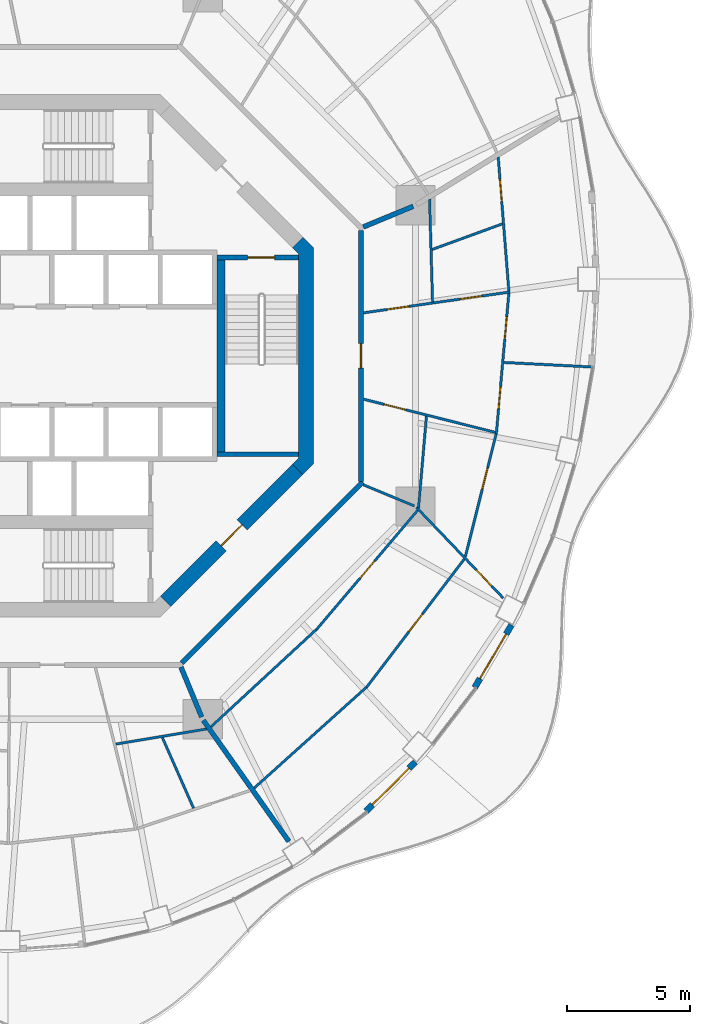
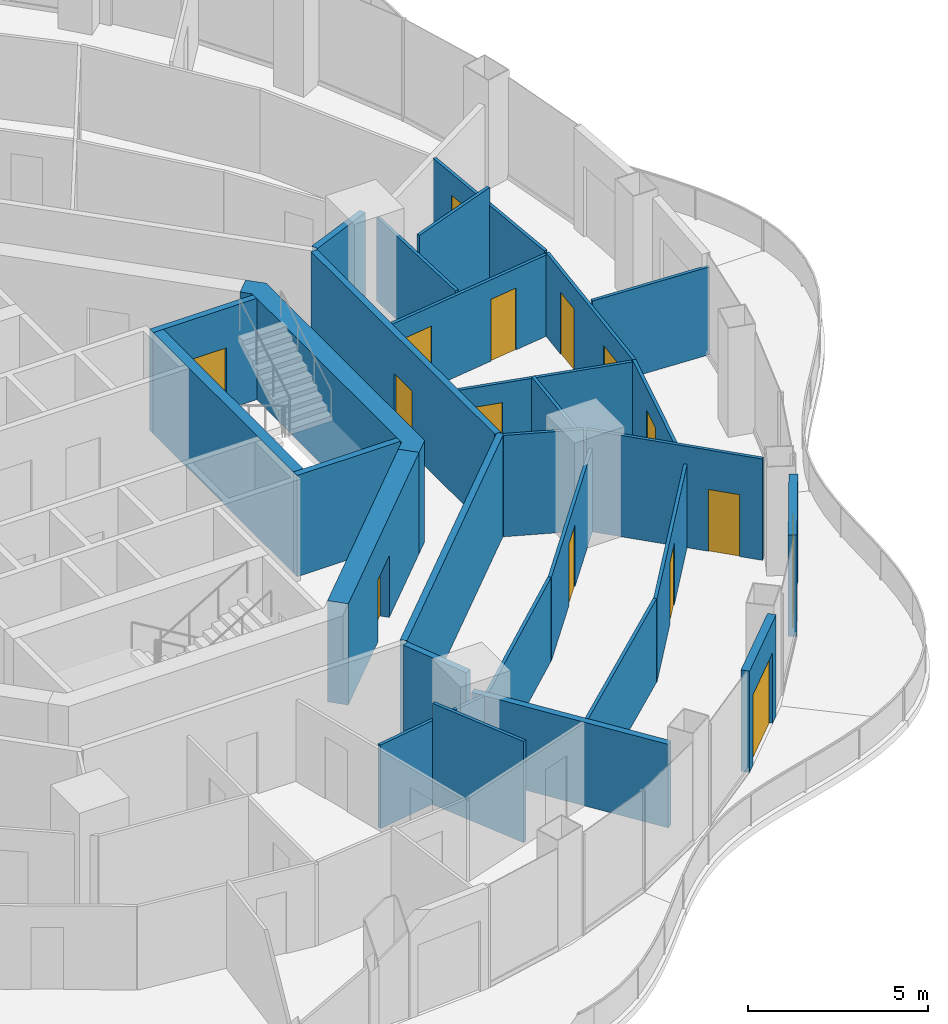
# One storey, part 12 of 18: 29 walls, 15 doors, 15 openings.
"""IFC4 building model written with IfcOpenShell, lengths in metres."""

from ifc_helpers import new_model, si_unit, direction, frame, frame_2d, origin, place, context, subcontext, project, spatial, polyline, rectangle, outline, extrude, material, layer, layer_set, type_object, element, fill, save


model = new_model("IFC4")

# Units and contexts
model_context = context("Model", 3, precision=1e-05, world=origin(), true_north=direction((0.0, 1.0)))
body_context = subcontext(model_context, "Body", "Model", "MODEL_VIEW")
ifc_project = project(units=[si_unit("LENGTHUNIT", "METRE"), si_unit("AREAUNIT", "SQUARE_METRE"), si_unit("VOLUMEUNIT", "CUBIC_METRE"), si_unit("PLANEANGLEUNIT", "RADIAN"), si_unit("MASSUNIT", "GRAM", prefix="KILO")], contexts=[model_context])

# Site, building, storey
site_placement = place(None, origin())
site = spatial("IfcSite", under=ifc_project, at=site_placement, CompositionType="ELEMENT")
building_placement = place(site_placement, origin())
building = spatial("IfcBuilding", under=site, at=building_placement, Name="Nagisa Residences", CompositionType="ELEMENT")
storey_placement = place(building_placement, frame((0.0, 0.0, 219.60009765625)))
storey = spatial("IfcBuildingStorey", under=building, at=storey_placement, Name="L55", CompositionType="ELEMENT", Elevation=219.60009765625)

# Walls
ifc_material_1 = material(Name="Gypsum board on steel studs", Category="steel")
ifc_layer_1 = layer(ifc_material_1, 0.199951171875)
ifc_layer_set_1 = layer_set([ifc_layer_1], Name="Apartment compartment wall EI60 200")
wall_type_1 = type_object("IfcWallType", Name="Apartment compartment wall EI60 200", PredefinedType="PARTITIONING", material=ifc_layer_set_1)
wall_1_placement = place(storey_placement, frame((12.6572265625, 5.24267578125, 0.0), z_axis=(0.0, 0.0, 1.0), x_axis=(0.92383017907, 0.382802560388, 0.0)))
element("IfcWall", 1, at=wall_1_placement, inside=storey, type_object=wall_type_1, Name="wall:L55:u00", PredefinedType="PARTITIONING", context=body_context, shape_type="SweptSolid", body=[
    extrude(rectangle(XDim=2.2001953125, YDim=0.199951171875, at=frame_2d((1.10009765625, 0.0))), origin(), (0.0, 0.0, 1.0), 3.43994140625),
])
wall_2_placement = place(storey_placement, frame((5.24267578125, -12.6572265625, 0.0), z_axis=(0.0, 0.0, 1.0), x_axis=(0.382691608661, -0.923876145736, 0.0)))
element("IfcWall", 2, at=wall_2_placement, inside=storey, type_object=wall_type_1, Name="wall:L55:u06", PredefinedType="PARTITIONING", context=body_context, shape_type="SweptSolid", body=[
    extrude(rectangle(XDim=2.19970703125, YDim=0.199951171875, at=frame_2d((1.099853515625, 0.0))), origin(), (0.0, 0.0, 1.0), 3.43994140625),
])
wall_3_placement = place(storey_placement, frame((6.15185546875, -14.822998046875, 0.0), z_axis=(0.0, 0.0, 1.0), x_axis=(0.576994695158, -0.816747893637, 0.0)))
element("IfcWall", 3, at=wall_3_placement, inside=storey, type_object=wall_type_1, Name="wall:L55:u07", PredefinedType="PARTITIONING", context=body_context, shape_type="SweptSolid", body=[
    extrude(rectangle(XDim=6.0302734375, YDim=0.199951171875, at=frame_2d((3.01513671875, 0.0))), origin(), (0.0, 0.0, 1.0), 2.8369140625),
])

# Wall, opening, door
ifc_material_2 = material(Name="Gypsum board on steel studs", Category="steel")
ifc_layer_2 = layer(ifc_material_2, 0.199951171875)
ifc_layer_set_2 = layer_set([ifc_layer_2], Name="Apartment entry wall EI60 200")
wall_type_2 = type_object("IfcWallType", Name="Apartment entry wall EI60 200", PredefinedType="PARTITIONING", material=ifc_layer_set_2)
wall_4_placement = place(storey_placement, frame((12.564697265625, -5.1044921875, 0.0), z_axis=(0.0, 0.0, 1.0), x_axis=(0.0, 1.0, 0.0)))
wall_4 = element("IfcWall", 4, at=wall_4_placement, inside=storey, type_object=wall_type_2, Name="wall:L55:u08", PredefinedType="PARTITIONING", context=body_context, shape_type="SweptSolid", body=[
    extrude(rectangle(XDim=10.208984375, YDim=0.199951171875, at=frame_2d((5.1044921875, 0.0))), origin(), (0.0, 0.0, 1.0), 3.43994140625),
])
opening_1_placement = place(wall_4_placement, frame((4.6044921875, 0.0, 0.0)))
opening_1 = element("IfcOpeningElement", 5, at=opening_1_placement, cuts=wall_4, Name="Opening L55-U41", PredefinedType="OPENING", context=body_context, shape_type="SweptSolid", body=[
    extrude(rectangle(XDim=1.0, YDim=2.10009765625, at=frame_2d((0.5, 1.050048828125))), frame((0.0, 0.10986328125, 0.0), z_axis=(0.0, -1.0, 0.0), x_axis=(1.0, 0.0, 0.0)), (0.0, 0.0, 1.0), 0.219970703125),
])
ifc_material_3 = material(Name="Timber fire door set", Category="wood")
door_type_1 = type_object("IfcDoorType", Name="Apartment entry door FD30S 1000x2100", OperationType="NOTDEFINED", PredefinedType="DOOR", material=ifc_material_3)
door_1_placement = place(opening_1_placement, frame((1.0, 0.0, 0.0), x_axis=(-1.0, 0.0, 0.0)))
door_1 = element("IfcDoor", 6, at=door_1_placement, inside=storey, type_object=door_type_1, Name="Entry door, Apartment 55D", OperationType="SINGLE_SWING_RIGHT", OverallHeight=2.10009765625, OverallWidth=1.0, PredefinedType="DOOR", context=body_context, shape_type="SweptSolid", body=[
    extrude(rectangle(XDim=1.0, YDim=2.10009765625, at=frame_2d((0.5, 1.050048828125))), frame((0.0, 0.02490234375, 0.0), z_axis=(0.0, -1.0, 0.0), x_axis=(1.0, 0.0, 0.0)), (0.0, 0.0, 1.0), 0.050048828125),
])
fill(opening_1, door_1)

# Wall
wall_5_placement = place(storey_placement, frame((5.275146484375, -12.494140625, 0.0), z_axis=(0.0, 0.0, 1.0), x_axis=(0.707106781187, 0.707106781187, 0.0)))
element("IfcWall", 7, at=wall_5_placement, inside=storey, type_object=wall_type_2, Name="wall:L55:u15", PredefinedType="PARTITIONING", context=body_context, shape_type="SweptSolid", body=[
    extrude(rectangle(XDim=10.4091796875, YDim=0.199951171875, at=frame_2d((5.20458984375, 0.0))), origin(), (0.0, 0.0, 1.0), 3.43994140625),
])

# Wall, openings, doors
ifc_material_4 = material(Name="Gypsum board on steel studs", Category="steel")
ifc_layer_3 = layer(ifc_material_4, 0.10009765625)
ifc_layer_set_3 = layer_set([ifc_layer_3], Name="Apartment partition 100")
wall_type_3 = type_object("IfcWallType", Name="Apartment partition 100", PredefinedType="PARTITIONING", material=ifc_layer_set_3)
wall_6_placement = place(storey_placement, frame((12.663818359375, 1.7490234375, 0.0), z_axis=(0.0, 0.0, 1.0), x_axis=(0.990000460163, 0.141064130369, 0.0)))
wall_6 = element("IfcWall", 8, at=wall_6_placement, inside=storey, type_object=wall_type_3, Name="wall:L55:u16", PredefinedType="PARTITIONING", context=body_context, shape_type="SweptSolid", body=[
    extrude(rectangle(XDim=6.028076171875, YDim=0.10009765625, at=frame_2d((3.01416015625, 0.0))), origin(), (0.0, 0.0, 1.0), 2.761962890625),
])
opening_2_placement = place(wall_6_placement, frame((0.970458984375, 0.0, 0.0)))
opening_2 = element("IfcOpeningElement", 9, at=opening_2_placement, cuts=wall_6, Name="Opening L55-U43", PredefinedType="OPENING", context=body_context, shape_type="SweptSolid", body=[
    extrude(rectangle(XDim=0.89990234375, YDim=2.10009765625, at=frame_2d((0.449951171875, 1.050048828125))), frame((0.0, 0.06005859375, 0.0), z_axis=(0.0, -1.0, 0.0), x_axis=(1.0, 0.0, 0.0)), (0.0, 0.0, 1.0), 0.1201171875),
])
opening_3_placement = place(wall_6_placement, frame((3.95947265625, 0.0, 0.0)))
opening_3 = element("IfcOpeningElement", 10, at=opening_3_placement, cuts=wall_6, Name="Opening L55-U44", PredefinedType="OPENING", context=body_context, shape_type="SweptSolid", body=[
    extrude(rectangle(XDim=0.89990234375, YDim=2.10009765625, at=frame_2d((0.449951171875, 1.050048828125))), frame((0.0, 0.06005859375, 0.0), z_axis=(0.0, -1.0, 0.0), x_axis=(1.0, 0.0, 0.0)), (0.0, 0.0, 1.0), 0.1201171875),
])
ifc_material_5 = material(Name="Timber door set", Category="wood")
door_type_2 = type_object("IfcDoorType", Name="Apartment door 900x2100", OperationType="NOTDEFINED", PredefinedType="DOOR", material=ifc_material_5)
door_2_placement = place(opening_2_placement, origin())
door_2 = element("IfcDoor", 11, at=door_2_placement, inside=storey, type_object=door_type_2, Name="Door to store, Apartment 55D", OperationType="SINGLE_SWING_LEFT", OverallHeight=2.10009765625, OverallWidth=0.89990234375, PredefinedType="DOOR", context=body_context, shape_type="SweptSolid", body=[
    extrude(rectangle(XDim=0.89990234375, YDim=2.10009765625, at=frame_2d((0.449951171875, 1.050048828125))), frame((0.0, 0.02490234375, 0.0), z_axis=(0.0, -1.0, 0.0), x_axis=(1.0, 0.0, 0.0)), (0.0, 0.0, 1.0), 0.050048828125),
])
fill(opening_2, door_2)
door_3_placement = place(opening_3_placement, origin())
door_3 = element("IfcDoor", 12, at=door_3_placement, inside=storey, type_object=door_type_2, Name="Door to family bathroom, Apartment 55D", OperationType="SINGLE_SWING_RIGHT", OverallHeight=2.10009765625, OverallWidth=0.89990234375, PredefinedType="DOOR", context=body_context, shape_type="SweptSolid", body=[
    extrude(rectangle(XDim=0.89990234375, YDim=2.10009765625, at=frame_2d((0.449951171875, 1.050048828125))), frame((0.0, 0.02490234375, 0.0), z_axis=(0.0, -1.0, 0.0), x_axis=(1.0, 0.0, 0.0)), (0.0, 0.0, 1.0), 0.050048828125),
])
fill(opening_3, door_3)

# Wall
wall_7_placement = place(storey_placement, frame((15.474853515625, 2.19970703125, 0.0), z_axis=(0.0, 0.0, 1.0), x_axis=(-0.029254623973, 0.999571991893, 0.0)))
element("IfcWall", 13, at=wall_7_placement, inside=storey, type_object=wall_type_3, Name="wall:L55:u17", PredefinedType="PARTITIONING", context=body_context, shape_type="SweptSolid", body=[
    extrude(rectangle(XDim=4.172607421875, YDim=0.10009765625, at=frame_2d((2.08642578125, 0.0))), origin(), (0.0, 0.0, 1.0), 2.8369140625),
])

# Wall, opening, door
wall_8_placement = place(storey_placement, frame((18.578125, 2.64208984375, 0.0), z_axis=(0.0, 0.0, 1.0), x_axis=(-0.079188322924, 0.996859673932, 0.0)))
wall_8 = element("IfcWall", 14, at=wall_8_placement, inside=storey, type_object=wall_type_3, Name="wall:L55:u18", PredefinedType="PARTITIONING", context=body_context, shape_type="SweptSolid", body=[
    extrude(rectangle(XDim=5.453857421875, YDim=0.10009765625, at=frame_2d((2.72705078125, 0.0))), origin(), (0.0, 0.0, 1.0), 2.8369140625),
])
opening_4_placement = place(wall_8_placement, frame((3.653076171875, 0.0, 0.0)))
opening_4 = element("IfcOpeningElement", 15, at=opening_4_placement, cuts=wall_8, Name="Opening L55-U48", PredefinedType="OPENING", context=body_context, shape_type="SweptSolid", body=[
    extrude(rectangle(XDim=0.89990234375, YDim=2.10009765625, at=frame_2d((0.449951171875, 1.050048828125))), frame((0.0, 0.06005859375, 0.0), z_axis=(0.0, -1.0, 0.0), x_axis=(1.0, 0.0, 0.0)), (0.0, 0.0, 1.0), 0.1201171875),
])
door_4_placement = place(opening_4_placement, origin())
door_4 = element("IfcDoor", 16, at=door_4_placement, inside=storey, type_object=door_type_2, Name="Door to en-suite bathroom, Apartment 55D", OperationType="SINGLE_SWING_RIGHT", OverallHeight=2.10009765625, OverallWidth=0.89990234375, PredefinedType="DOOR", context=body_context, shape_type="SweptSolid", body=[
    extrude(rectangle(XDim=0.89990234375, YDim=2.10009765625, at=frame_2d((0.449951171875, 1.050048828125))), frame((0.0, 0.02490234375, 0.0), z_axis=(0.0, -1.0, 0.0), x_axis=(1.0, 0.0, 0.0)), (0.0, 0.0, 1.0), 0.050048828125),
])
fill(opening_4, door_4)

# Wall, openings, doors
wall_9_placement = place(storey_placement, frame((18.57763671875, 2.54248046875, 0.0), z_axis=(0.0, 0.0, 1.0), x_axis=(-0.088651453697, -0.996062708748, 0.0)))
wall_9 = element("IfcWall", 17, at=wall_9_placement, inside=storey, type_object=wall_type_3, Name="wall:L55:u19", PredefinedType="PARTITIONING", context=body_context, shape_type="SweptSolid", body=[
    extrude(rectangle(XDim=5.736572265625, YDim=0.10009765625, at=frame_2d((2.8681640625, 0.0))), origin(), (0.0, 0.0, 1.0), 2.8369140625),
])
opening_5_placement = place(wall_9_placement, frame((3.80224609375, 0.0, 0.0)))
opening_5 = element("IfcOpeningElement", 18, at=opening_5_placement, cuts=wall_9, Name="Opening L55-U45", PredefinedType="OPENING", context=body_context, shape_type="SweptSolid", body=[
    extrude(rectangle(XDim=0.89990234375, YDim=2.10009765625, at=frame_2d((0.449951171875, 1.050048828125))), frame((0.0, 0.06005859375, 0.0), z_axis=(0.0, -1.0, 0.0), x_axis=(1.0, 0.0, 0.0)), (0.0, 0.0, 1.0), 0.1201171875),
])
opening_6_placement = place(wall_9_placement, frame((0.958984375, 0.0, 0.0)))
opening_6 = element("IfcOpeningElement", 19, at=opening_6_placement, cuts=wall_9, Name="Opening L55-U46", PredefinedType="OPENING", context=body_context, shape_type="SweptSolid", body=[
    extrude(rectangle(XDim=0.89990234375, YDim=2.10009765625, at=frame_2d((0.449951171875, 1.050048828125))), frame((0.0, 0.06005859375, 0.0), z_axis=(0.0, -1.0, 0.0), x_axis=(1.0, 0.0, 0.0)), (0.0, 0.0, 1.0), 0.1201171875),
])
door_5_placement = place(opening_5_placement, origin())
door_5 = element("IfcDoor", 20, at=door_5_placement, inside=storey, type_object=door_type_2, Name="Door to bedroom, Apartment 55D", OperationType="SINGLE_SWING_LEFT", OverallHeight=2.10009765625, OverallWidth=0.89990234375, PredefinedType="DOOR", context=body_context, shape_type="SweptSolid", body=[
    extrude(rectangle(XDim=0.89990234375, YDim=2.10009765625, at=frame_2d((0.449951171875, 1.050048828125))), frame((0.0, 0.02490234375, 0.0), z_axis=(0.0, -1.0, 0.0), x_axis=(1.0, 0.0, 0.0)), (0.0, 0.0, 1.0), 0.050048828125),
])
fill(opening_5, door_5)
door_6_placement = place(opening_6_placement, origin())
door_6 = element("IfcDoor", 21, at=door_6_placement, inside=storey, type_object=door_type_2, Name="Door to master bedroom, Apartment 55D", OperationType="SINGLE_SWING_RIGHT", OverallHeight=2.10009765625, OverallWidth=0.89990234375, PredefinedType="DOOR", context=body_context, shape_type="SweptSolid", body=[
    extrude(rectangle(XDim=0.89990234375, YDim=2.10009765625, at=frame_2d((0.449951171875, 1.050048828125))), frame((0.0, 0.02490234375, 0.0), z_axis=(0.0, -1.0, 0.0), x_axis=(1.0, 0.0, 0.0)), (0.0, 0.0, 1.0), 0.050048828125),
])
fill(opening_6, door_6)

# Walls
wall_10_placement = place(storey_placement, frame((15.4599609375, 4.327392578125, 0.0), z_axis=(0.0, 0.0, 1.0), x_axis=(0.939452643938, 0.342678755977, 0.0)))
element("IfcWall", 22, at=wall_10_placement, inside=storey, type_object=wall_type_3, Name="wall:L55:u20", PredefinedType="PARTITIONING", context=body_context, shape_type="SweptSolid", body=[
    extrude(rectangle(XDim=3.037109375, YDim=0.10009765625, at=frame_2d((1.5185546875, 0.0))), origin(), (0.0, 0.0, 1.0), 3.43994140625),
])
wall_11_placement = place(storey_placement, frame((2.592529296875, -15.788818359375, 0.0), z_axis=(0.0, 0.0, 1.0), x_axis=(0.986385117656, 0.164451815639, 0.0)))
element("IfcWall", 23, at=wall_11_placement, inside=storey, type_object=wall_type_3, Name="wall:L55:u79", PredefinedType="PARTITIONING", context=body_context, shape_type="SweptSolid", body=[
    extrude(rectangle(XDim=3.7470703125, YDim=0.10009765625, at=frame_2d((1.87353515625, 0.0))), origin(), (0.0, 0.0, 1.0), 2.8369140625),
])
wall_12_placement = place(storey_placement, frame((4.4853515625, -15.522216796875, 0.0), z_axis=(0.0, 0.0, 1.0), x_axis=(0.40391918208, -0.914794673327, 0.0)))
element("IfcWall", 24, at=wall_12_placement, inside=storey, type_object=wall_type_3, Name="wall:L55:u81", PredefinedType="PARTITIONING", context=body_context, shape_type="SweptSolid", body=[
    extrude(rectangle(XDim=3.1455078125, YDim=0.10009765625, at=frame_2d((1.57275390625, 0.0))), origin(), (0.0, 0.0, 1.0), 3.43994140625),
])
wall_13_placement = place(storey_placement, frame((6.460693359375, -15.08837890625, 0.0), z_axis=(0.0, 0.0, 1.0), x_axis=(0.73461579427, 0.678483334217, 0.0)))
element("IfcWall", 25, at=wall_13_placement, inside=storey, type_object=wall_type_3, Name="wall:L55:u82", PredefinedType="PARTITIONING", context=body_context, shape_type="SweptSolid", body=[
    extrude(rectangle(XDim=5.8369140625, YDim=0.10009765625, at=frame_2d((2.91845703125, 0.0))), origin(), (0.0, 0.0, 1.0), 2.8369140625),
])
wall_14_placement = place(storey_placement, frame((8.220458984375, -17.5791015625, 0.0), z_axis=(0.0, 0.0, 1.0), x_axis=(0.743696370895, 0.668517544958, 0.0)))
element("IfcWall", 26, at=wall_14_placement, inside=storey, type_object=wall_type_3, Name="wall:L55:u83", PredefinedType="PARTITIONING", context=body_context, shape_type="SweptSolid", body=[
    extrude(rectangle(XDim=6.124755859375, YDim=0.10009765625, at=frame_2d((3.0625, 0.0))), origin(), (0.0, 0.0, 1.0), 2.8369140625),
])

# Wall, opening, door
wall_15_placement = place(storey_placement, frame((10.7529296875, -11.13232421875, 0.0), z_axis=(0.0, 0.0, 1.0), x_axis=(0.647001799757, 0.762488472773, 0.0)))
wall_15 = element("IfcWall", 27, at=wall_15_placement, inside=storey, type_object=wall_type_3, Name="wall:L55:u84", PredefinedType="PARTITIONING", context=body_context, shape_type="SweptSolid", body=[
    extrude(rectangle(XDim=6.35888671875, YDim=0.10009765625, at=frame_2d((3.179443359375, 0.0))), origin(), (0.0, 0.0, 1.0), 2.8369140625),
])
opening_7_placement = place(wall_15_placement, frame((2.75439453125, 0.0, 0.0)))
opening_7 = element("IfcOpeningElement", 28, at=opening_7_placement, cuts=wall_15, Name="Opening L55-U51", PredefinedType="OPENING", context=body_context, shape_type="SweptSolid", body=[
    extrude(rectangle(XDim=0.89990234375, YDim=2.10009765625, at=frame_2d((0.449951171875, 1.050048828125))), frame((0.0, 0.06005859375, 0.0), z_axis=(0.0, -1.0, 0.0), x_axis=(1.0, 0.0, 0.0)), (0.0, 0.0, 1.0), 0.1201171875),
])
door_7_placement = place(opening_7_placement, origin())
door_7 = element("IfcDoor", 29, at=door_7_placement, inside=storey, type_object=door_type_2, Name="Door to store, Apartment 55D", OperationType="SINGLE_SWING_LEFT", OverallHeight=2.10009765625, OverallWidth=0.89990234375, PredefinedType="DOOR", context=body_context, shape_type="SweptSolid", body=[
    extrude(rectangle(XDim=0.89990234375, YDim=2.10009765625, at=frame_2d((0.449951171875, 1.050048828125))), frame((0.0, 0.02490234375, 0.0), z_axis=(0.0, -1.0, 0.0), x_axis=(1.0, 0.0, 0.0)), (0.0, 0.0, 1.0), 0.050048828125),
])
fill(opening_7, door_7)

wall_16_placement = place(storey_placement, frame((12.7822265625, -13.490966796875, 0.0), z_axis=(0.0, 0.0, 1.0), x_axis=(0.606136140755, 0.795360911078, 0.0)))
wall_16 = element("IfcWall", 30, at=wall_16_placement, inside=storey, type_object=wall_type_3, Name="wall:L55:u85", PredefinedType="PARTITIONING", context=body_context, shape_type="SweptSolid", body=[
    extrude(rectangle(XDim=6.56982421875, YDim=0.10009765625, at=frame_2d((3.284912109375, 0.0))), origin(), (0.0, 0.0, 1.0), 2.8369140625),
])
opening_8_placement = place(wall_16_placement, frame((2.85986328125, 0.0, 0.0)))
opening_8 = element("IfcOpeningElement", 31, at=opening_8_placement, cuts=wall_16, Name="Opening L55-U50", PredefinedType="OPENING", context=body_context, shape_type="SweptSolid", body=[
    extrude(rectangle(XDim=0.89990234375, YDim=2.10009765625, at=frame_2d((0.449951171875, 1.050048828125))), frame((0.0, 0.06005859375, 0.0), z_axis=(0.0, -1.0, 0.0), x_axis=(1.0, 0.0, 0.0)), (0.0, 0.0, 1.0), 0.1201171875),
])
door_8_placement = place(opening_8_placement, origin())
door_8 = element("IfcDoor", 32, at=door_8_placement, inside=storey, type_object=door_type_2, Name="Door to kitchen, Apartment 55D", OperationType="SINGLE_SWING_RIGHT", OverallHeight=2.10009765625, OverallWidth=0.89990234375, PredefinedType="DOOR", context=body_context, shape_type="SweptSolid", body=[
    extrude(rectangle(XDim=0.89990234375, YDim=2.10009765625, at=frame_2d((0.449951171875, 1.050048828125))), frame((0.0, 0.02490234375, 0.0), z_axis=(0.0, -1.0, 0.0), x_axis=(1.0, 0.0, 0.0)), (0.0, 0.0, 1.0), 0.050048828125),
])
fill(opening_8, door_8)

# Wall
wall_17_placement = place(storey_placement, frame((12.6572265625, -5.24267578125, 0.0), z_axis=(0.0, 0.0, 1.0), x_axis=(0.923864733477, -0.382719158442, 0.0)))
element("IfcWall", 33, at=wall_17_placement, inside=storey, type_object=wall_type_3, Name="wall:L55:u86", PredefinedType="PARTITIONING", context=body_context, shape_type="SweptSolid", body=[
    extrude(rectangle(XDim=2.25, YDim=0.10009765625, at=frame_2d((1.125, 0.0))), origin(), (0.0, 0.0, 1.0), 3.43994140625),
])

# Wall, opening, door
wall_18_placement = place(storey_placement, frame((14.816650390625, -6.1591796875, 0.0), z_axis=(0.0, 0.0, 1.0), x_axis=(0.691437669875, -0.722436120828, 0.0)))
wall_18 = element("IfcWall", 34, at=wall_18_placement, inside=storey, type_object=wall_type_3, Name="wall:L55:u87", PredefinedType="PARTITIONING", context=body_context, shape_type="SweptSolid", body=[
    extrude(rectangle(XDim=5.103515625, YDim=0.10009765625, at=frame_2d((2.5517578125, 0.0))), origin(), (0.0, 0.0, 1.0), 3.43994140625),
])
opening_9_placement = place(wall_18_placement, frame((3.5322265625, 0.0, 0.0)))
opening_9 = element("IfcOpeningElement", 35, at=opening_9_placement, cuts=wall_18, Name="Opening L55-U49", PredefinedType="OPENING", context=body_context, shape_type="SweptSolid", body=[
    extrude(rectangle(XDim=0.89990234375, YDim=2.10009765625, at=frame_2d((0.449951171875, 1.050048828125))), frame((0.0, 0.06005859375, 0.0), z_axis=(0.0, -1.0, 0.0), x_axis=(1.0, 0.0, 0.0)), (0.0, 0.0, 1.0), 0.1201171875),
])
door_9_placement = place(opening_9_placement, frame((0.89990234375, 0.0, 0.0), x_axis=(-1.0, 0.0, 0.0)))
door_9 = element("IfcDoor", 36, at=door_9_placement, inside=storey, type_object=door_type_2, Name="Door to family room, Apartment 55D", OperationType="SINGLE_SWING_RIGHT", OverallHeight=2.10009765625, OverallWidth=0.89990234375, PredefinedType="DOOR", context=body_context, shape_type="SweptSolid", body=[
    extrude(rectangle(XDim=0.89990234375, YDim=2.10009765625, at=frame_2d((0.449951171875, 1.050048828125))), frame((0.0, 0.02490234375, 0.0), z_axis=(0.0, -1.0, 0.0), x_axis=(1.0, 0.0, 0.0)), (0.0, 0.0, 1.0), 0.050048828125),
])
fill(opening_9, door_9)

# Wall
wall_19_placement = place(storey_placement, frame((14.90380859375, -6.19580078125, 0.0), z_axis=(0.0, 0.0, 1.0), x_axis=(0.085843822439, 0.996308605879, 0.0)))
element("IfcWall", 37, at=wall_19_placement, inside=storey, type_object=wall_type_3, Name="wall:L55:u88", PredefinedType="PARTITIONING", context=body_context, shape_type="SweptSolid", body=[
    extrude(rectangle(XDim=3.754150390625, YDim=0.10009765625, at=frame_2d((1.876953125, 0.0))), origin(), (0.0, 0.0, 1.0), 2.8369140625),
])

# Wall, opening, door
wall_20_placement = place(storey_placement, frame((16.806884765625, -8.17724609375, 0.0), z_axis=(0.0, 0.0, 1.0), x_axis=(0.243002985225, 0.970025540474, 0.0)))
wall_20 = element("IfcWall", 38, at=wall_20_placement, inside=storey, type_object=wall_type_3, Name="wall:L55:u89", PredefinedType="PARTITIONING", context=body_context, shape_type="SweptSolid", body=[
    extrude(rectangle(XDim=5.162109375, YDim=0.10009765625, at=frame_2d((2.5810546875, 0.0))), origin(), (0.0, 0.0, 1.0), 2.8369140625),
])
opening_10_placement = place(wall_20_placement, frame((2.843505859375, 0.0, 0.0)))
opening_10 = element("IfcOpeningElement", 39, at=opening_10_placement, cuts=wall_20, Name="Opening L55-U47", PredefinedType="OPENING", context=body_context, shape_type="SweptSolid", body=[
    extrude(rectangle(XDim=0.89990234375, YDim=2.10009765625, at=frame_2d((0.449951171875, 1.050048828125))), frame((0.0, 0.06005859375, 0.0), z_axis=(0.0, -1.0, 0.0), x_axis=(1.0, 0.0, 0.0)), (0.0, 0.0, 1.0), 0.1201171875),
])
door_10_placement = place(opening_10_placement, origin())
door_10 = element("IfcDoor", 40, at=door_10_placement, inside=storey, type_object=door_type_2, Name="Door to en-suite bathroom, Apartment 55D", OperationType="SINGLE_SWING_LEFT", OverallHeight=2.10009765625, OverallWidth=0.89990234375, PredefinedType="DOOR", context=body_context, shape_type="SweptSolid", body=[
    extrude(rectangle(XDim=0.89990234375, YDim=2.10009765625, at=frame_2d((0.449951171875, 1.050048828125))), frame((0.0, 0.02490234375, 0.0), z_axis=(0.0, -1.0, 0.0), x_axis=(1.0, 0.0, 0.0)), (0.0, 0.0, 1.0), 0.050048828125),
])
fill(opening_10, door_10)

wall_21_placement = place(storey_placement, frame((12.66162109375, -1.75927734375, 0.0), z_axis=(0.0, 0.0, 1.0), x_axis=(0.969746519828, -0.24411408661, 0.0)))
wall_21 = element("IfcWall", 41, at=wall_21_placement, inside=storey, type_object=wall_type_3, Name="wall:L55:u90", PredefinedType="PARTITIONING", context=body_context, shape_type="SweptSolid", body=[
    extrude(rectangle(XDim=5.530517578125, YDim=0.10009765625, at=frame_2d((2.76513671875, 0.0))), origin(), (0.0, 0.0, 1.0), 2.761962890625),
])
opening_11_placement = place(wall_21_placement, frame((0.874267578125, 0.0, 0.0)))
opening_11 = element("IfcOpeningElement", 42, at=opening_11_placement, cuts=wall_21, Name="Opening L55-U42", PredefinedType="OPENING", context=body_context, shape_type="SweptSolid", body=[
    extrude(rectangle(XDim=0.89990234375, YDim=2.10009765625, at=frame_2d((0.449951171875, 1.050048828125))), frame((0.0, 0.06005859375, 0.0), z_axis=(0.0, -1.0, 0.0), x_axis=(1.0, 0.0, 0.0)), (0.0, 0.0, 1.0), 0.1201171875),
])
door_11_placement = place(opening_11_placement, frame((0.89990234375, 0.0, 0.0), x_axis=(-1.0, 0.0, 0.0)))
door_11 = element("IfcDoor", 43, at=door_11_placement, inside=storey, type_object=door_type_2, Name="Door to family bathroom, Apartment 55D", OperationType="SINGLE_SWING_LEFT", OverallHeight=2.10009765625, OverallWidth=0.89990234375, PredefinedType="DOOR", context=body_context, shape_type="SweptSolid", body=[
    extrude(rectangle(XDim=0.89990234375, YDim=2.10009765625, at=frame_2d((0.449951171875, 1.050048828125))), frame((0.0, 0.02490234375, 0.0), z_axis=(0.0, -1.0, 0.0), x_axis=(1.0, 0.0, 0.0)), (0.0, 0.0, 1.0), 0.050048828125),
])
fill(opening_11, door_11)

# Wall
wall_22_placement = place(storey_placement, frame((18.377685546875, -0.26708984375, 0.0), z_axis=(0.0, 0.0, 1.0), x_axis=(0.998670331817, -0.051551608585, 0.0)))
element("IfcWall", 44, at=wall_22_placement, inside=storey, type_object=wall_type_3, Name="wall:L55:u91", PredefinedType="PARTITIONING", context=body_context, shape_type="SweptSolid", body=[
    extrude(rectangle(XDim=3.6513671875, YDim=0.10009765625, at=frame_2d((1.82568359375, 0.0))), origin(), (0.0, 0.0, 1.0), 2.98291015625),
])

# Wall, opening, door
ifc_material_6 = material(Name="Precast concrete C40/50", Category="concrete")
ifc_layer_4 = layer(ifc_material_6, 0.25)
ifc_layer_set_4 = layer_set([ifc_layer_4], Name="BALCONY DOOR WALL 250")
wall_type_4 = type_object("IfcWallType", Name="BALCONY DOOR WALL 250", PredefinedType="SOLIDWALL", material=ifc_layer_set_4)
wall_23_placement = place(storey_placement, frame((14.77783203125, -16.5146484375, 0.0), z_axis=(0.0, 0.0, 1.0), x_axis=(-0.707836044127, -0.706376765356, 0.0)))
wall_23 = element("IfcWall", 45, at=wall_23_placement, inside=storey, type_object=wall_type_4, Name="wall:L55:bay41", PredefinedType="SOLIDWALL", context=body_context, shape_type="SweptSolid", body=[
    extrude(rectangle(XDim=2.84423828125, YDim=0.25, at=frame_2d((1.422119140625, 0.0))), origin(), (0.0, 0.0, 1.0), 3.43994140625),
])
opening_12_placement = place(wall_23_placement, frame((0.3720703125, 0.0, 0.0)))
opening_12 = element("IfcOpeningElement", 46, at=opening_12_placement, cuts=wall_23, Name="Opening BD-L55-14", PredefinedType="OPENING", context=body_context, shape_type="SweptSolid", body=[
    extrude(rectangle(XDim=2.10009765625, YDim=2.39990234375, at=frame_2d((1.050048828125, 1.199951171875))), frame((0.0, 0.135009765625, 0.0), z_axis=(0.0, -1.0, 0.0), x_axis=(1.0, 0.0, 0.0)), (0.0, 0.0, 1.0), 0.27001953125),
])
ifc_material_7 = material(Name="Aluminium and clear glass", Category="aluminium")
door_type_3 = type_object("IfcDoorType", Name="BALCONY SLIDING DOOR 2100x2400", OperationType="SLIDING_TO_LEFT", PredefinedType="DOOR", material=ifc_material_7)
door_12_placement = place(opening_12_placement, origin())
door_12 = element("IfcDoor", 47, at=door_12_placement, inside=storey, type_object=door_type_3, Name="door:L55:bay41", OperationType="SLIDING_TO_LEFT", OverallHeight=2.39990234375, OverallWidth=2.10009765625, PredefinedType="DOOR", context=body_context, shape_type="SweptSolid", body=[
    extrude(rectangle(XDim=2.10009765625, YDim=2.39990234375, at=frame_2d((1.050048828125, 1.199951171875))), frame((0.0, 0.02490234375, 0.0), z_axis=(0.0, -1.0, 0.0), x_axis=(1.0, 0.0, 0.0)), (0.0, 0.0, 1.0), 0.050048828125),
])
fill(opening_12, door_12)

wall_24_placement = place(storey_placement, frame((18.684326171875, -10.945068359375, 0.0), z_axis=(0.0, 0.0, 1.0), x_axis=(-0.5063555387, -0.862324804484, 0.0)))
wall_24 = element("IfcWall", 48, at=wall_24_placement, inside=storey, type_object=wall_type_4, Name="wall:L55:bay43", PredefinedType="SOLIDWALL", context=body_context, shape_type="SweptSolid", body=[
    extrude(rectangle(XDim=2.95458984375, YDim=0.25, at=frame_2d((1.477294921875, 0.0))), origin(), (0.0, 0.0, 1.0), 3.43994140625),
])
opening_13_placement = place(wall_24_placement, frame((0.42724609375, 0.0, 0.0)))
opening_13 = element("IfcOpeningElement", 49, at=opening_13_placement, cuts=wall_24, Name="Opening BD-L55-15", PredefinedType="OPENING", context=body_context, shape_type="SweptSolid", body=[
    extrude(rectangle(XDim=2.10009765625, YDim=2.39990234375, at=frame_2d((1.050048828125, 1.199951171875))), frame((0.0, 0.135009765625, 0.0), z_axis=(0.0, -1.0, 0.0), x_axis=(1.0, 0.0, 0.0)), (0.0, 0.0, 1.0), 0.27001953125),
])
door_13_placement = place(opening_13_placement, origin())
door_13 = element("IfcDoor", 50, at=door_13_placement, inside=storey, type_object=door_type_3, Name="door:L55:bay43", OperationType="SLIDING_TO_LEFT", OverallHeight=2.39990234375, OverallWidth=2.10009765625, PredefinedType="DOOR", context=body_context, shape_type="SweptSolid", body=[
    extrude(rectangle(XDim=2.10009765625, YDim=2.39990234375, at=frame_2d((1.050048828125, 1.199951171875))), frame((0.0, 0.02490234375, 0.0), z_axis=(0.0, -1.0, 0.0), x_axis=(1.0, 0.0, 0.0)), (0.0, 0.0, 1.0), 0.050048828125),
])
fill(opening_13, door_13)

ifc_material_8 = material(Name="Concrete C60", Category="concrete")
ifc_layer_5 = layer(ifc_material_8, 0.60009765625)
ifc_layer_set_5 = layer_set([ifc_layer_5], Name="Core shear wall 600")
wall_type_5 = type_object("IfcWallType", Name="Core shear wall 600", PredefinedType="SHEAR", material=ifc_layer_set_5)
wall_25_placement = place(storey_placement, frame((4.613037109375, -9.98828125, 0.0), z_axis=(0.0, 0.0, 1.0), x_axis=(0.707106781187, 0.707106781187, 0.0)))
wall_25 = element("IfcWall", 51, at=wall_25_placement, inside=storey, type_object=wall_type_5, Name="wall:L55:core:flat7", PredefinedType="SHEAR", context=body_context, shape_type="SweptSolid", body=[
    extrude(rectangle(XDim=7.601806640625, YDim=0.60009765625, at=frame_2d((3.80078125, 0.0))), origin(), (0.0, 0.0, 1.0), 3.43994140625),
])
opening_14_placement = place(wall_25_placement, frame((3.200927734375, 0.0, 0.0)))
opening_14 = element("IfcOpeningElement", 52, at=opening_14_placement, cuts=wall_25, Name="Opening L55-C19", PredefinedType="OPENING", context=body_context, shape_type="SweptSolid", body=[
    extrude(rectangle(XDim=1.199951171875, YDim=2.10009765625, at=frame_2d((0.60009765625, 1.050048828125))), frame((0.0, 0.31005859375, 0.0), z_axis=(0.0, -1.0, 0.0), x_axis=(1.0, 0.0, 0.0)), (0.0, 0.0, 1.0), 0.6201171875),
])
ifc_material_9 = material(Name="Steel fire door", Category="steel")
door_type_4 = type_object("IfcDoorType", Name="Fire door EI60 1200x2100 single swing", OperationType="NOTDEFINED", PredefinedType="DOOR", material=ifc_material_9)
door_14_placement = place(opening_14_placement, origin())
door_14 = element("IfcDoor", 53, at=door_14_placement, inside=storey, type_object=door_type_4, Name="Firefighting lobby 2 door L55", OperationType="SINGLE_SWING_RIGHT", OverallHeight=2.10009765625, OverallWidth=1.199951171875, PredefinedType="DOOR", context=body_context, shape_type="SweptSolid", body=[
    extrude(rectangle(XDim=1.199951171875, YDim=2.10009765625, at=frame_2d((0.60009765625, 1.050048828125))), frame((0.0, 0.02490234375, 0.0), z_axis=(0.0, -1.0, 0.0), x_axis=(1.0, 0.0, 0.0)), (0.0, 0.0, 1.0), 0.050048828125),
])
fill(opening_14, door_14)

# Wall
wall_26_placement = place(storey_placement, origin())
element("IfcWall", 54, at=wall_26_placement, inside=storey, type_object=wall_type_5, Name="wall:L55:core:flat0", PredefinedType="SHEAR", context=body_context, shape_type="SweptSolid", body=[
    extrude(outline(polyline([(9.776123046875, -4.40087890625), (10.024658203125, -4.15234375), (10.024658203125, -3.801025390625), (10.024658203125, 4.15234375), (9.776123046875, 4.40087890625), (10.200439453125, 4.8251953125), (10.62451171875, 4.40087890625), (10.62451171875, -4.40087890625), (10.200439453125, -4.8251953125), (9.776123046875, -4.40087890625)])), origin(), (0.0, 0.0, 1.0), 3.43994140625),
])

# Wall, opening, door
ifc_material_10 = material(Name="Concrete C60", Category="concrete")
ifc_layer_6 = layer(ifc_material_10, 0.199951171875)
ifc_layer_set_6 = layer_set([ifc_layer_6], Name="Stair enclosure wall 200")
wall_type_6 = type_object("IfcWallType", Name="Stair enclosure wall 200", PredefinedType="SOLIDWALL", material=ifc_layer_set_6)
wall_27_placement = place(storey_placement, frame((6.699951171875, 4.0, 0.0), z_axis=(0.0, 0.0, 1.0), x_axis=(1.0, 0.0, 0.0)))
wall_27 = element("IfcWall", 55, at=wall_27_placement, inside=storey, type_object=wall_type_6, Name="wall:L55:SE_n", PredefinedType="SOLIDWALL", context=body_context, shape_type="SweptSolid", body=[
    extrude(rectangle(XDim=3.32470703125, YDim=0.199951171875, at=frame_2d((1.662353515625, 0.0))), origin(), (0.0, 0.0, 1.0), 3.43994140625),
])
opening_15_placement = place(wall_27_placement, frame((1.25, 0.0, 0.0)))
opening_15 = element("IfcOpeningElement", 56, at=opening_15_placement, cuts=wall_27, Name="Opening L55-C08", PredefinedType="OPENING", context=body_context, shape_type="SweptSolid", body=[
    extrude(rectangle(XDim=1.10009765625, YDim=2.10009765625, at=frame_2d((0.550048828125, 1.050048828125))), frame((0.0, 0.10986328125, 0.0), z_axis=(0.0, -1.0, 0.0), x_axis=(1.0, 0.0, 0.0)), (0.0, 0.0, 1.0), 0.219970703125),
])
ifc_material_11 = material(Name="Steel fire door", Category="steel")
door_type_5 = type_object("IfcDoorType", Name="Fire door EI90 1100x2100 single swing", OperationType="NOTDEFINED", PredefinedType="DOOR", material=ifc_material_11)
door_15_placement = place(opening_15_placement, frame((1.10009765625, 0.0, 0.0), x_axis=(-1.0, 0.0, 0.0)))
door_15 = element("IfcDoor", 57, at=door_15_placement, inside=storey, type_object=door_type_5, Name="Stair door ST-E L55", OperationType="SINGLE_SWING_RIGHT", OverallHeight=2.10009765625, OverallWidth=1.10009765625, PredefinedType="DOOR", context=body_context, shape_type="SweptSolid", body=[
    extrude(rectangle(XDim=1.10009765625, YDim=2.10009765625, at=frame_2d((0.550048828125, 1.050048828125))), frame((0.0, 0.02490234375, 0.0), z_axis=(0.0, -1.0, 0.0), x_axis=(1.0, 0.0, 0.0)), (0.0, 0.0, 1.0), 0.050048828125),
])
fill(opening_15, door_15)

# Walls
wall_28_placement = place(storey_placement, origin())
element("IfcWall", 58, at=wall_28_placement, inside=storey, type_object=wall_type_6, Name="wall:L55:SE_w", PredefinedType="SOLIDWALL", context=body_context, shape_type="SweptSolid", body=[
    extrude(outline(polyline([(7.024658203125, -3.89990234375), (6.699951171875, -3.89990234375), (6.699951171875, 3.89990234375), (7.024658203125, 3.89990234375), (7.024658203125, -3.89990234375)])), origin(), (0.0, 0.0, 1.0), 3.43994140625),
])
wall_29_placement = place(storey_placement, origin())
element("IfcWall", 59, at=wall_29_placement, inside=storey, type_object=wall_type_6, Name="wall:L55:SE_s", PredefinedType="SOLIDWALL", context=body_context, shape_type="SweptSolid", body=[
    extrude(outline(polyline([(10.024658203125, -4.10009765625), (6.699951171875, -4.10009765625), (6.699951171875, -3.89990234375), (10.024658203125, -3.89990234375), (10.024658203125, -4.10009765625)])), origin(), (0.0, 0.0, 1.0), 3.43994140625),
])

save(model, "model.ifc")
